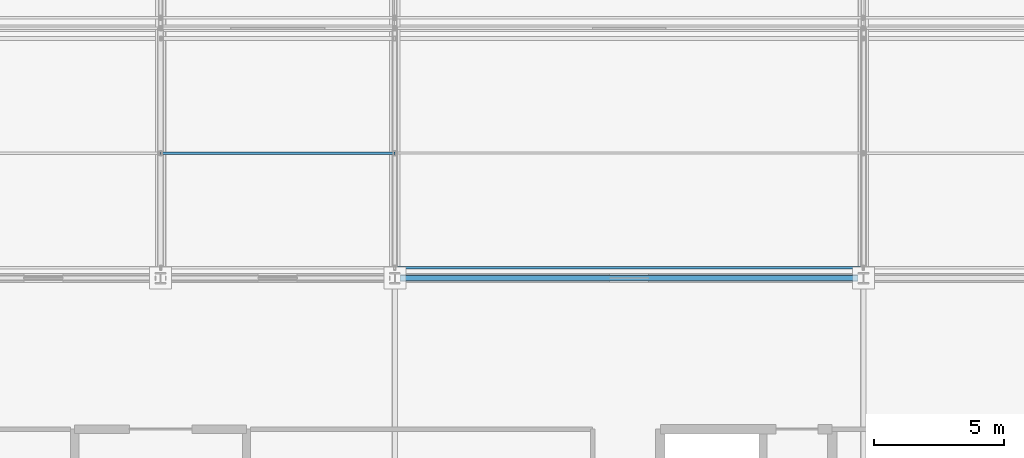
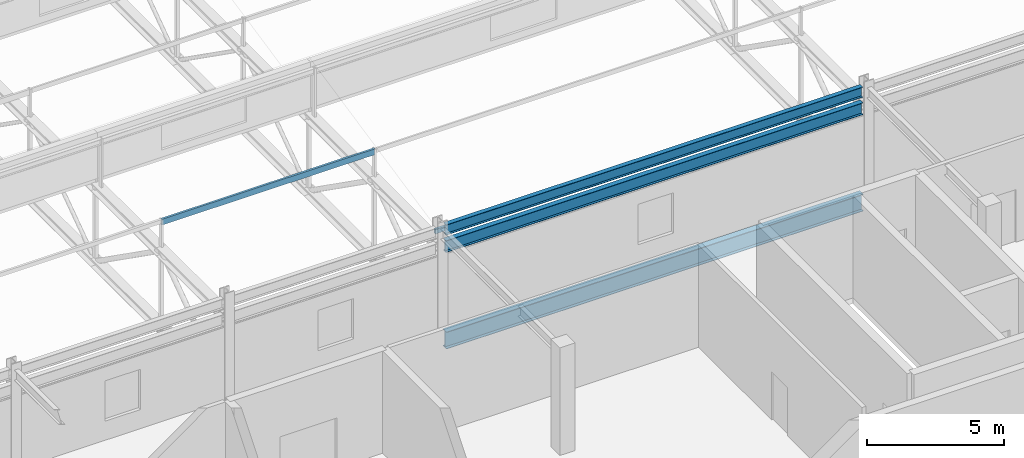
# One storey, part 28 of 136: 3 beams, 2 members.
"""IFC4 building model written with IfcOpenShell, lengths in metres."""

from ifc_helpers import new_model, si_unit, direction, frame, origin, origin_2d, place, context, subcontext, project, spatial, hollow_rectangle, i_section, u_section, extrude, material, material_profile, profile_set, type_object, element, save


model = new_model("IFC4")

# Units and contexts
model_context = context("Model", 3, precision=1e-05, world=origin(), true_north=direction((0.0, 1.0)))
body_context = subcontext(model_context, "Body", "Model", "MODEL_VIEW")
ifc_project = project(units=[si_unit("LENGTHUNIT", "METRE"), si_unit("AREAUNIT", "SQUARE_METRE"), si_unit("VOLUMEUNIT", "CUBIC_METRE"), si_unit("PLANEANGLEUNIT", "RADIAN"), si_unit("MASSUNIT", "GRAM", prefix="KILO")], contexts=[model_context])

# Site, building, storey
site_placement = place(None, origin())
site = spatial("IfcSite", under=ifc_project, at=site_placement, CompositionType="ELEMENT")
building_placement = place(site_placement, origin())
building = spatial("IfcBuilding", under=site, at=building_placement, Name="Kisiwana Market Hall", CompositionType="ELEMENT")
storey_placement = place(building_placement, frame((0.0, 0.0, 16.800048828125)))
storey = spatial("IfcBuildingStorey", under=building, at=storey_placement, Name="L03", CompositionType="ELEMENT", Elevation=16.800048828125)

# Beams
ifc_material_1 = material(Name="Steel S355", Category="steel")
ifc_material_profile_1 = material_profile(ifc_material_1, i_section(OverallWidth=0.19140625, OverallDepth=0.4599609375, WebThickness=0.010009765625, FlangeThickness=0.01611328125, at=origin_2d()), Name="UB 457x191x82")
ifc_profile_set_1 = profile_set([ifc_material_profile_1], Name="Steel S355")
beam_type_1 = type_object("IfcBeamType", Name="BM-GIRD-UB457H", PredefinedType="BEAM", material=ifc_profile_set_1)
beam_1_placement = place(storey_placement, frame((117.201904296875, 36.0, 4.27783203125), z_axis=(1.0, 0.0, 0.0), x_axis=(0.0, 1.0, 0.0)))
element("IfcBeam", 1, at=beam_1_placement, inside=storey, type_object=beam_type_1, Name="Roof girder B-1143", PredefinedType="BEAM", context=body_context, shape_type="SweptSolid", body=[
    extrude(i_section(OverallWidth=0.19140625, OverallDepth=0.4599609375, WebThickness=0.010009765625, FlangeThickness=0.01611328125, at=origin_2d()), origin(), (0.0, 0.0, 1.0), 17.59619140625),
])
ifc_material_2 = material(Name="Steel S355", Category="steel")
ifc_material_profile_2 = material_profile(ifc_material_2, i_section(OverallWidth=0.209228515625, OverallDepth=0.533203125, WebThickness=0.010009765625, FlangeThickness=0.015625, at=origin_2d()), Name="UB 533x210x92")
ifc_profile_set_2 = profile_set([ifc_material_profile_2], Name="Steel S355")
beam_type_2 = type_object("IfcBeamType", Name="BM-GIRD-UB533", PredefinedType="BEAM", material=ifc_profile_set_2)
beam_2_placement = place(storey_placement, frame((117.199951171875, 36.0, 3.54345703125), z_axis=(1.0, 0.0, 0.0), x_axis=(0.0, 1.0, 0.0)))
element("IfcBeam", 2, at=beam_2_placement, inside=storey, type_object=beam_type_2, Name="Truss eaves tie B-1173", PredefinedType="BEAM", context=body_context, shape_type="SweptSolid", body=[
    extrude(i_section(OverallWidth=0.209228515625, OverallDepth=0.533203125, WebThickness=0.010009765625, FlangeThickness=0.015625, at=origin_2d()), origin(), (0.0, 0.0, 1.0), 17.60009765625),
])
ifc_material_3 = material(Name="Steel S355", Category="steel")
ifc_material_profile_3 = material_profile(ifc_material_3, i_section(OverallWidth=0.2666015625, OverallDepth=0.76220703125, WebThickness=0.014404296875, FlangeThickness=0.021484375, at=origin_2d()), Name="UB 762x267x173")
ifc_profile_set_3 = profile_set([ifc_material_profile_3], Name="Steel S355")
beam_type_3 = type_object("IfcBeamType", Name="BM-GIRD-UB762", PredefinedType="BEAM", material=ifc_profile_set_3)
beam_3_placement = place(storey_placement, frame((117.201904296875, 36.0, -0.631103515625), z_axis=(1.0, 0.0, 0.0), x_axis=(0.0, 1.0, 0.0)))
element("IfcBeam", 3, at=beam_3_placement, inside=storey, type_object=beam_type_3, Name="Floor beam B-1017", PredefinedType="BEAM", context=body_context, shape_type="SweptSolid", body=[
    extrude(i_section(OverallWidth=0.2666015625, OverallDepth=0.76220703125, WebThickness=0.014404296875, FlangeThickness=0.021484375, at=origin_2d()), origin(), (0.0, 0.0, 1.0), 17.59619140625),
])

# Members
ifc_material_4 = material(Name="Steel S355", Category="steel")
ifc_material_profile_4 = material_profile(ifc_material_4, u_section(Depth=0.260009765625, FlangeWidth=0.090087890625, WebThickness=0.008056640625, FlangeThickness=0.013916015625, at=origin_2d()), Name="PFC 260x90x35")
ifc_profile_set_4 = profile_set([ifc_material_profile_4], Name="Steel S355")
member_type_1 = type_object("IfcMemberType", Name="MB-PURL-PFC260", PredefinedType="PURLIN", material=ifc_profile_set_4)
member_1_placement = place(storey_placement, frame((108.0, 40.800048828125, 4.90625), z_axis=(1.0, 0.0, 0.0), x_axis=(0.0, 1.0, 0.0)))
element("IfcMember", 4, at=member_1_placement, inside=storey, type_object=member_type_1, Name="Sawtooth mid-slope roof purlin 13 M-0095", PredefinedType="PURLIN", context=body_context, shape_type="SweptSolid", body=[
    extrude(u_section(Depth=0.260009765625, FlangeWidth=0.090087890625, WebThickness=0.008056640625, FlangeThickness=0.013916015625, at=origin_2d()), origin(), (0.0, 0.0, 1.0), 9.0),
])
ifc_material_5 = material(Name="Steel S355", Category="steel")
ifc_material_profile_5 = material_profile(ifc_material_5, hollow_rectangle(XDim=0.10009765625, YDim=0.199951171875, WallThickness=0.008056640625, at=origin_2d()), Name="RHS 200x100x8.0")
ifc_profile_set_5 = profile_set([ifc_material_profile_5], Name="Steel S355")
member_type_2 = type_object("IfcMemberType", Name="MB-ROOF-PURLIN1", PredefinedType="PURLIN", material=ifc_profile_set_5)
member_2_placement = place(storey_placement, frame((117.0, 36.39990234375, 4.0009765625), z_axis=(1.0, 0.0, 0.0), x_axis=(0.0, 1.0, 0.0)))
element("IfcMember", 5, at=member_2_placement, inside=storey, type_object=member_type_2, Name="Sawtooth roof purlin 192 M-0141", PredefinedType="PURLIN", context=body_context, shape_type="SweptSolid", body=[
    extrude(hollow_rectangle(XDim=0.10009765625, YDim=0.199951171875, WallThickness=0.008056640625, at=origin_2d()), origin(), (0.0, 0.0, 1.0), 18.0),
])

save(model, "model.ifc")
